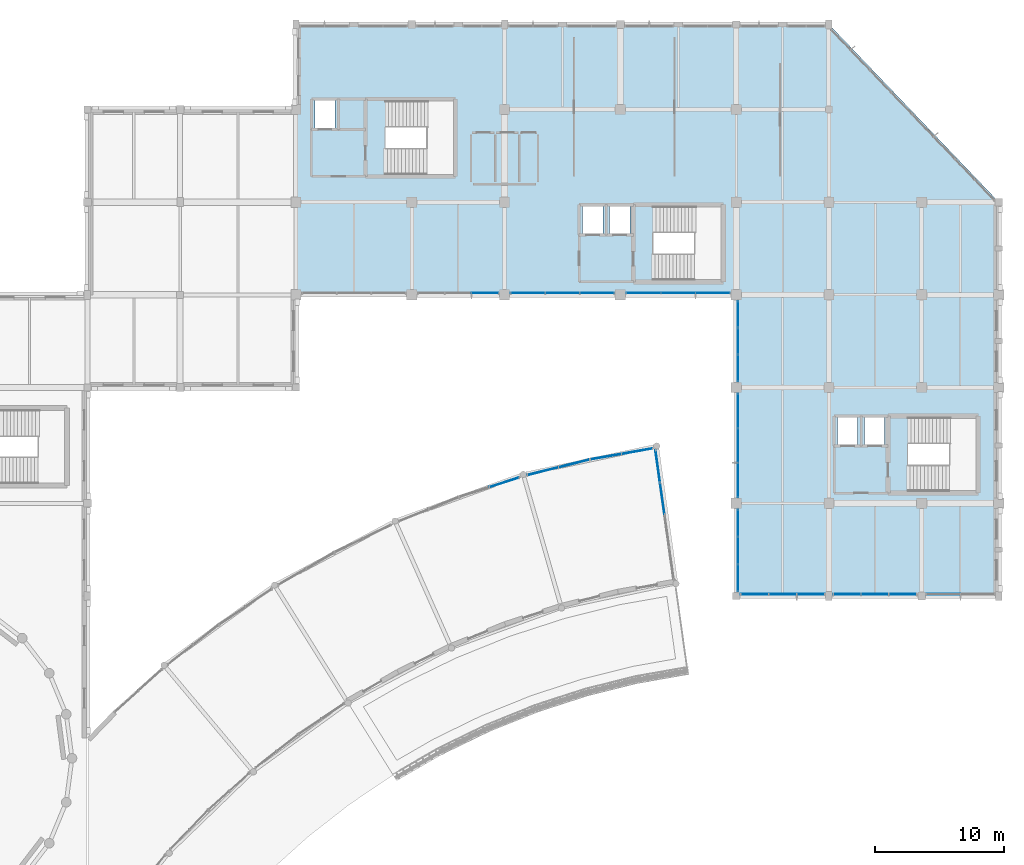
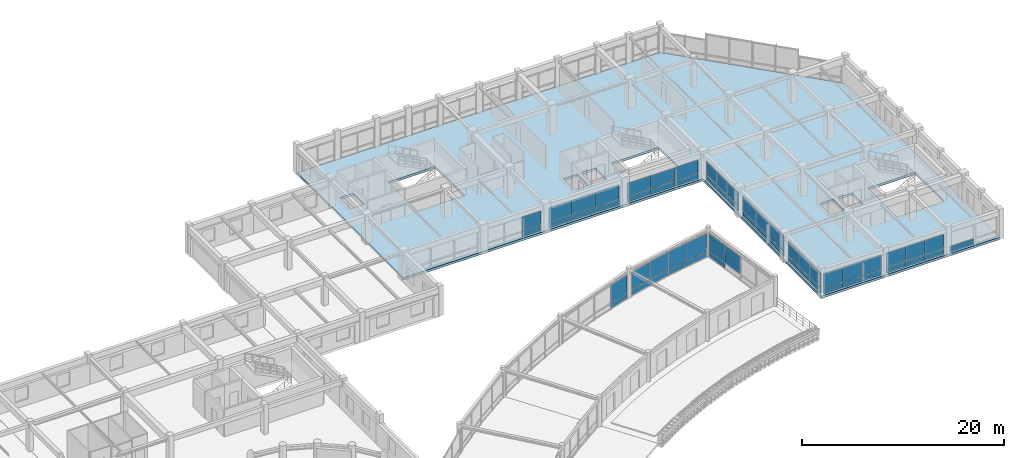
# One storey, part 47 of 74: 58 plates, 1 slab, 13 elements without a shape of their own.
"""IFC4 building model written with IfcOpenShell, lengths in metres."""

import ifcopenshell
import ifcopenshell.guid

model = None  # the IFC model being written
_history = None  # IfcOwnerHistory: only IFC2X3 demands one
_inside = {}  # id of a spatial element -> (the spatial element, [elements in it])
_under = {}  # id of a project, library or spatial element -> (it, [spatial elements below it])
_declared = {}  # id of a project -> (the project, [libraries it declares])
_typed = {}  # id of a type object -> (the type object, [elements of that type])
_made_of = {}  # id of a material, layer set ... -> (it, [elements and type objects made of it])


def new_model(schema):
    """Start an empty IFC model of exactly this schema.

    Asked for "IFC4X3", IfcOpenShell would pick the latest addendum, in which some entities
    have other attributes; the version numbers below select the first issue.
    IFC2X3 requires an IfcOwnerHistory on every rooted entity: one is made here for all.
    """
    global model, _history
    if schema == "IFC4X3":
        model = ifcopenshell.file(schema_version=(4, 3, 0, 0))
    else:
        model = ifcopenshell.file(schema=schema)
    _inside.clear()
    _under.clear()
    _declared.clear()
    _typed.clear()
    _made_of.clear()
    _history = None
    if model.schema == "IFC2X3":
        org = make("IfcOrganization", Name="unknown")
        user = make(
            "IfcPersonAndOrganization",
            ThePerson=make("IfcPerson", FamilyName="unknown"),
            TheOrganization=org,
        )
        app = make(
            "IfcApplication",
            ApplicationDeveloper=org,
            Version="unknown",
            ApplicationFullName="unknown",
            ApplicationIdentifier="unknown",
        )
        _history = make(
            "IfcOwnerHistory",
            OwningUser=user,
            OwningApplication=app,
            ChangeAction="ADDED",
            CreationDate=0,
        )
    return model


def make(cls, **values):
    """One entity of the class cls with the attributes given. An attribute that is None is left unset."""
    return model.create_entity(
        cls, **{name: value for name, value in values.items() if value is not None}
    )


def rooted(cls, **values):
    """An entity with a GlobalId (a new one), such as an element, a storey or a relation."""
    return make(cls, GlobalId=ifcopenshell.guid.new(), OwnerHistory=_history, **values)


def si_unit(unit_type, name, prefix=None):
    """IfcSIUnit, for example si_unit("LENGTHUNIT", "METRE", prefix="MILLI")."""
    return make("IfcSIUnit", UnitType=unit_type, Prefix=prefix, Name=name)


def assignment(units):
    """IfcUnitAssignment: the units of a project."""
    return None if units is None else make("IfcUnitAssignment", Units=units)


def point(xyz):
    """IfcCartesianPoint."""
    return None if xyz is None else make("IfcCartesianPoint", Coordinates=xyz)


def direction(xyz):
    """IfcDirection."""
    return None if xyz is None else make("IfcDirection", DirectionRatios=xyz)


def frame(location, z_axis=None, x_axis=None):
    """IfcAxis2Placement3D, a coordinate frame: its origin and axes. An axis left out is left unset."""
    return make(
        "IfcAxis2Placement3D",
        Location=point(location),
        Axis=direction(z_axis),
        RefDirection=direction(x_axis),
    )


def frame_2d(location, x_axis=None):
    """IfcAxis2Placement2D, a coordinate frame in the plane: its origin and x axis."""
    return make(
        "IfcAxis2Placement2D", Location=point(location), RefDirection=direction(x_axis)
    )


def origin():
    """The frame at (0, 0, 0) with its axes left unset."""
    return frame((0.0, 0.0, 0.0))


def place(relative_to, where):
    """IfcLocalPlacement: puts the frame where relative to a parent placement (None: the world)."""
    return make(
        "IfcLocalPlacement", PlacementRelTo=relative_to, RelativePlacement=where
    )


def context(
    kind, dimensions, precision=None, world=None, true_north=None, identifier=None
):
    """IfcGeometricRepresentationContext, for example the 3D "Model" context."""
    return make(
        "IfcGeometricRepresentationContext",
        ContextIdentifier=identifier,
        ContextType=kind,
        CoordinateSpaceDimension=dimensions,
        Precision=precision,
        WorldCoordinateSystem=world,
        TrueNorth=true_north,
    )


def subcontext(parent, identifier, kind, view, scale=None):
    """IfcGeometricRepresentationSubContext, for example "Body" below "Model"."""
    return make(
        "IfcGeometricRepresentationSubContext",
        ContextIdentifier=identifier,
        ContextType=kind,
        ParentContext=parent,
        TargetScale=scale,
        TargetView=view,
    )


def project(units=None, contexts=None):
    """IfcProject with its units and contexts."""
    return rooted(
        "IfcProject",
        Name="project",
        RepresentationContexts=contexts,
        UnitsInContext=assignment(units),
    )


def spatial(cls, under=None, at=None, **own):
    """A site, building, storey or space (cls), placed at a placement, below another one or the project."""
    s = rooted(cls, ObjectPlacement=at, **own)
    if under is not None:
        _under.setdefault(under.id(), (under, []))[1].append(s)
    return s


def polyline(points):
    """IfcPolyline through the points."""
    return make("IfcPolyline", Points=[point(p) for p in points])


def profile(cls, at=None, kind="AREA", **sizes):
    """A parametric profile (cls). Its sizes go by their IFC names, for example OverallWidth=200.0."""
    return make(cls, ProfileType=kind, Position=at, **sizes)


def rectangle(**sizes):
    """IfcRectangleProfileDef."""
    return profile("IfcRectangleProfileDef", **sizes)


def outline(outer, holes=None, kind="AREA"):
    """IfcArbitraryClosedProfileDef: a profile drawn as a closed curve; with holes, ...WithVoids."""
    if holes is None:
        return make("IfcArbitraryClosedProfileDef", ProfileType=kind, OuterCurve=outer)
    return make(
        "IfcArbitraryProfileDefWithVoids",
        ProfileType=kind,
        OuterCurve=outer,
        InnerCurves=holes,
    )


def extrude(swept, where, along, depth):
    """IfcExtrudedAreaSolid: the profile swept, set in the frame where, extruded along a direction by depth."""
    return make(
        "IfcExtrudedAreaSolid",
        SweptArea=swept,
        Position=where,
        ExtrudedDirection=direction(along),
        Depth=depth,
    )


def shape(context_of_items, identifier, shape_type, items):
    """IfcShapeRepresentation: the items that make up one representation, for example the "Body"."""
    return make(
        "IfcShapeRepresentation",
        ContextOfItems=context_of_items,
        RepresentationIdentifier=identifier,
        RepresentationType=shape_type,
        Items=items,
    )


def material(Name=None, Category=None):
    """IfcMaterial."""
    return make("IfcMaterial", Name=Name, Category=Category)


def layer(
    of_material, thickness, ventilated=None, Name=None, Category=None, Priority=None
):
    """IfcMaterialLayer: one layer of a wall or slab, of a material (None: an air gap)."""
    return make(
        "IfcMaterialLayer",
        Material=of_material,
        LayerThickness=thickness,
        IsVentilated=ventilated,
        Name=Name,
        Category=Category,
        Priority=Priority,
    )


def layer_set(layers, Name=None):
    """IfcMaterialLayerSet."""
    return make("IfcMaterialLayerSet", MaterialLayers=layers, LayerSetName=Name)


def made_of(thing, what):
    """Note that an element or type object is made of a material, layer set ...; save() writes the relation."""
    if what is not None:
        _made_of.setdefault(what.id(), (what, []))[1].append(thing)
    return thing


def type_object(cls, material=None, **own):
    """A type object (cls), such as IfcWallType, which elements share."""
    return made_of(rooted(cls, **own), material)


def element(
    cls,
    number,
    at=None,
    inside=None,
    cuts=None,
    type_object=None,
    material=None,
    context=None,
    identifier="Body",
    shape_type=None,
    held_by="IfcProductDefinitionShape",
    body=None,
    shapes=None,
    **own,
):
    """One element of the class cls, such as IfcWall. Its Tag is "e" and its number.

    at: its placement. inside: the storey or other place that contains it. cuts: it is an
    opening in that element (IfcRelVoidsElement). A single representation is given by context,
    identifier, shape_type and body (its items); several are given by shapes. held_by: the class
    of the entity that holds the representations. save() writes the other relations.
    """
    e = rooted(cls, Tag="e%d" % number, ObjectPlacement=at, **own)
    if body is not None:
        shapes = [shape(context, identifier, shape_type, body)]
    if shapes is not None:
        e.Representation = make(held_by, Representations=shapes)
    if inside is not None:
        _inside.setdefault(inside.id(), (inside, []))[1].append(e)
    if cuts is not None:
        rooted(
            "IfcRelVoidsElement", RelatingBuildingElement=cuts, RelatedOpeningElement=e
        )
    if type_object is not None:
        _typed.setdefault(type_object.id(), (type_object, []))[1].append(e)
    return made_of(e, material)


def aggregate(whole, parts):
    """IfcRelAggregates: a whole, such as a stair, and the parts it consists of."""
    return rooted("IfcRelAggregates", RelatingObject=whole, RelatedObjects=parts)


def save(model, path):
    """Write the relations noted so far, then the file.

    IfcRelAggregates (storeys below a building ...), IfcRelContainedInSpatialStructure (elements
    in a storey), IfcRelDefinesByType, IfcRelAssociatesMaterial and IfcRelDeclares: one each for
    every whole, place, type object, material and project.
    """
    for whole, parts in _under.values():
        aggregate(whole, parts)
    for where, things in _inside.values():
        rooted(
            "IfcRelContainedInSpatialStructure",
            RelatedElements=things,
            RelatingStructure=where,
        )
    for kind, things in _typed.values():
        rooted("IfcRelDefinesByType", RelatedObjects=things, RelatingType=kind)
    for what, things in _made_of.values():
        rooted("IfcRelAssociatesMaterial", RelatedObjects=things, RelatingMaterial=what)
    for by, libraries in _declared.values():
        rooted("IfcRelDeclares", RelatingContext=by, RelatedDefinitions=libraries)
    model.write(path)


model = new_model("IFC4")

# Units and contexts
model_context = context("Model", 3, precision=1e-05, world=origin(), true_north=direction((0.0, 1.0)))
body_context = subcontext(model_context, "Body", "Model", "MODEL_VIEW")
ifc_project = project(units=[si_unit("LENGTHUNIT", "METRE"), si_unit("AREAUNIT", "SQUARE_METRE"), si_unit("VOLUMEUNIT", "CUBIC_METRE"), si_unit("PLANEANGLEUNIT", "RADIAN"), si_unit("MASSUNIT", "GRAM", prefix="KILO")], contexts=[model_context])

# Site, building, storey
site_placement = place(None, origin())
site = spatial("IfcSite", under=ifc_project, at=site_placement, CompositionType="ELEMENT")
building_placement = place(site_placement, origin())
building = spatial("IfcBuilding", under=site, at=building_placement, Name="Clarverna Civic Hall", CompositionType="ELEMENT")
storey_placement = place(building_placement, frame((0.0, 0.0, 9.60009765625)))
storey = spatial("IfcBuildingStorey", under=building, at=storey_placement, Name="L02", CompositionType="ELEMENT", Elevation=9.60009765625)

# Curtain wall, plates
ifc_material_1 = material(Name="Anodised Bronze Architectural Aluminium", Category="aluminium")
curtain_wall_type_1 = type_object("IfcCurtainWallType", Name="CW-01", PredefinedType="USERDEFINED", material=ifc_material_1)
curtain_wall_1_placement = place(storey_placement, origin())
curtain_wall_1 = element("IfcCurtainWall", 1, at=curtain_wall_1_placement, inside=storey, type_object=curtain_wall_type_1, Name="CW-01-045", ObjectType="UNITISED CURTAIN WALL", PredefinedType="USERDEFINED")
ifc_material_2 = material(Name="Solar-Control Argon Low-E Double Glazing", Category="glass")
ifc_layer_1 = layer(ifc_material_2, 0.031982421875)
ifc_layer_set_1 = layer_set([ifc_layer_1], Name="Solar-Control Argon Low-E Double Glazing")
plate_type_1 = type_object("IfcPlateType", Name="CWP-01", PredefinedType="CURTAIN_PANEL", material=ifc_layer_set_1)
plate_1_placement = place(storey_placement, frame((161.612060546875, 71.739990234375, 0.764892578125), z_axis=(0.0, 0.0, 1.0), x_axis=(-1.0, 0.0, 0.0)))
plate_1 = element("IfcPlate", 2, at=plate_1_placement, type_object=plate_type_1, Name="CWP-01-274", PredefinedType="CURTAIN_PANEL", context=body_context, shape_type="SweptSolid", body=[
    extrude(rectangle(XDim=2.137939453125, YDim=0.031982421875, at=frame_2d((1.06884765625, 0.0))), origin(), (0.0, 0.0, 1.0), 1.7451171875),
])
plate_2_placement = place(storey_placement, frame((159.444091796875, 71.739990234375, 0.764892578125), z_axis=(0.0, 0.0, 1.0), x_axis=(-1.0, 0.0, 0.0)))
plate_2 = element("IfcPlate", 3, at=plate_2_placement, type_object=plate_type_1, Name="CWP-01-275", PredefinedType="CURTAIN_PANEL", context=body_context, shape_type="SweptSolid", body=[
    extrude(rectangle(XDim=2.13818359375, YDim=0.031982421875, at=frame_2d((1.069091796875, 0.0))), origin(), (0.0, 0.0, 1.0), 1.7451171875),
])
plate_3_placement = place(storey_placement, frame((157.27587890625, 71.739990234375, 0.764892578125), z_axis=(0.0, 0.0, 1.0), x_axis=(-1.0, 0.0, 0.0)))
plate_3 = element("IfcPlate", 4, at=plate_3_placement, type_object=plate_type_1, Name="CWP-01-276", PredefinedType="CURTAIN_PANEL", context=body_context, shape_type="SweptSolid", body=[
    extrude(rectangle(XDim=2.137939453125, YDim=0.031982421875, at=frame_2d((1.06884765625, 0.0))), origin(), (0.0, 0.0, 1.0), 1.7451171875),
])

curtain_wall_2_placement = place(storey_placement, origin())
curtain_wall_2 = element("IfcCurtainWall", 5, at=curtain_wall_2_placement, inside=storey, type_object=curtain_wall_type_1, Name="CW-01-046", ObjectType="UNITISED CURTAIN WALL", PredefinedType="USERDEFINED")
plate_4_placement = place(storey_placement, frame((154.4619140625, 71.739990234375, 0.764892578125), z_axis=(0.0, 0.0, 1.0), x_axis=(-1.0, 0.0, 0.0)))
plate_4 = element("IfcPlate", 6, at=plate_4_placement, type_object=plate_type_1, Name="CWP-01-277", PredefinedType="CURTAIN_PANEL", context=body_context, shape_type="SweptSolid", body=[
    extrude(rectangle(XDim=2.146240234375, YDim=0.031982421875, at=frame_2d((1.0732421875, 0.0))), origin(), (0.0, 0.0, 1.0), 1.7451171875),
])
plate_5_placement = place(storey_placement, frame((152.28564453125, 71.739990234375, 0.764892578125), z_axis=(0.0, 0.0, 1.0), x_axis=(-1.0, 0.0, 0.0)))
plate_5 = element("IfcPlate", 7, at=plate_5_placement, type_object=plate_type_1, Name="CWP-01-278", PredefinedType="CURTAIN_PANEL", context=body_context, shape_type="SweptSolid", body=[
    extrude(rectangle(XDim=2.146240234375, YDim=0.031982421875, at=frame_2d((1.0732421875, 0.0))), origin(), (0.0, 0.0, 1.0), 1.7451171875),
])
plate_6_placement = place(storey_placement, frame((150.109375, 71.739990234375, 0.764892578125), z_axis=(0.0, 0.0, 1.0), x_axis=(-1.0, 0.0, 0.0)))
plate_6 = element("IfcPlate", 8, at=plate_6_placement, type_object=plate_type_1, Name="CWP-01-279", PredefinedType="CURTAIN_PANEL", context=body_context, shape_type="SweptSolid", body=[
    extrude(rectangle(XDim=2.146484375, YDim=0.031982421875, at=frame_2d((1.0732421875, 0.0))), origin(), (0.0, 0.0, 1.0), 1.7451171875),
])

curtain_wall_3_placement = place(storey_placement, origin())
curtain_wall_3 = element("IfcCurtainWall", 9, at=curtain_wall_3_placement, inside=storey, type_object=curtain_wall_type_1, Name="CW-01-047", ObjectType="UNITISED CURTAIN WALL", PredefinedType="USERDEFINED")
plate_7_placement = place(storey_placement, frame((147.739990234375, 71.962890625, 0.764892578125), z_axis=(0.0, 0.0, 1.0), x_axis=(0.0, 1.0, 0.0)))
plate_7 = element("IfcPlate", 10, at=plate_7_placement, type_object=plate_type_1, Name="CWP-01-280", PredefinedType="CURTAIN_PANEL", context=body_context, shape_type="SweptSolid", body=[
    extrude(rectangle(XDim=2.096435546875, YDim=0.031982421875, at=frame_2d((1.04833984375, 0.0))), origin(), (0.0, 0.0, 1.0), 1.764892578125),
])
plate_8_placement = place(storey_placement, frame((147.739990234375, 74.08935546875, 0.764892578125), z_axis=(0.0, 0.0, 1.0), x_axis=(0.0, 1.0, 0.0)))
plate_8 = element("IfcPlate", 11, at=plate_8_placement, type_object=plate_type_1, Name="CWP-01-281", PredefinedType="CURTAIN_PANEL", context=body_context, shape_type="SweptSolid", body=[
    extrude(rectangle(XDim=2.096435546875, YDim=0.031982421875, at=frame_2d((1.04833984375, 0.0))), origin(), (0.0, 0.0, 1.0), 1.764892578125),
])
plate_9_placement = place(storey_placement, frame((147.739990234375, 76.2158203125, 0.764892578125), z_axis=(0.0, 0.0, 1.0), x_axis=(0.0, 1.0, 0.0)))
plate_9 = element("IfcPlate", 12, at=plate_9_placement, type_object=plate_type_1, Name="CWP-01-282", PredefinedType="CURTAIN_PANEL", context=body_context, shape_type="SweptSolid", body=[
    extrude(rectangle(XDim=2.09619140625, YDim=0.031982421875, at=frame_2d((1.048095703125, 0.0))), origin(), (0.0, 0.0, 1.0), 1.764892578125),
])

curtain_wall_4_placement = place(storey_placement, origin())
curtain_wall_4 = element("IfcCurtainWall", 13, at=curtain_wall_4_placement, inside=storey, type_object=curtain_wall_type_1, Name="CW-01-048", ObjectType="UNITISED CURTAIN WALL", PredefinedType="USERDEFINED")
plate_10_placement = place(storey_placement, frame((147.739990234375, 79.2880859375, 0.764892578125), z_axis=(0.0, 0.0, 1.0), x_axis=(0.0, 1.0, 0.0)))
plate_10 = element("IfcPlate", 14, at=plate_10_placement, type_object=plate_type_1, Name="CWP-01-283", PredefinedType="CURTAIN_PANEL", context=body_context, shape_type="SweptSolid", body=[
    extrude(rectangle(XDim=2.654541015625, YDim=0.031982421875, at=frame_2d((1.3271484375, 0.0))), origin(), (0.0, 0.0, 1.0), 1.764892578125),
])
plate_11_placement = place(storey_placement, frame((147.739990234375, 81.97265625, 0.764892578125), z_axis=(0.0, 0.0, 1.0), x_axis=(0.0, 1.0, 0.0)))
plate_11 = element("IfcPlate", 15, at=plate_11_placement, type_object=plate_type_1, Name="CWP-01-284", PredefinedType="CURTAIN_PANEL", context=body_context, shape_type="SweptSolid", body=[
    extrude(rectangle(XDim=2.654541015625, YDim=0.031982421875, at=frame_2d((1.3271484375, 0.0))), origin(), (0.0, 0.0, 1.0), 1.764892578125),
])
plate_12_placement = place(storey_placement, frame((147.739990234375, 84.6572265625, 0.764892578125), z_axis=(0.0, 0.0, 1.0), x_axis=(0.0, 1.0, 0.0)))
plate_12 = element("IfcPlate", 16, at=plate_12_placement, type_object=plate_type_1, Name="CWP-01-285", PredefinedType="CURTAIN_PANEL", context=body_context, shape_type="SweptSolid", body=[
    extrude(rectangle(XDim=2.65478515625, YDim=0.031982421875, at=frame_2d((1.327392578125, 0.0))), origin(), (0.0, 0.0, 1.0), 1.764892578125),
])

curtain_wall_5_placement = place(storey_placement, origin())
curtain_wall_5 = element("IfcCurtainWall", 17, at=curtain_wall_5_placement, inside=storey, type_object=curtain_wall_type_1, Name="CW-01-049", ObjectType="UNITISED CURTAIN WALL", PredefinedType="USERDEFINED")
plate_13_placement = place(storey_placement, frame((147.739990234375, 88.2880859375, 0.764892578125), z_axis=(0.0, 0.0, 1.0), x_axis=(0.0, 1.0, 0.0)))
plate_13 = element("IfcPlate", 18, at=plate_13_placement, type_object=plate_type_1, Name="CWP-01-286", PredefinedType="CURTAIN_PANEL", context=body_context, shape_type="SweptSolid", body=[
    extrude(rectangle(XDim=2.0546875, YDim=0.031982421875, at=frame_2d((1.02734375, 0.0))), origin(), (0.0, 0.0, 1.0), 1.594970703125),
])
plate_14_placement = place(storey_placement, frame((147.739990234375, 90.372802734375, 0.764892578125), z_axis=(0.0, 0.0, 1.0), x_axis=(0.0, 1.0, 0.0)))
plate_14 = element("IfcPlate", 19, at=plate_14_placement, type_object=plate_type_1, Name="CWP-01-287", PredefinedType="CURTAIN_PANEL", context=body_context, shape_type="SweptSolid", body=[
    extrude(rectangle(XDim=2.054443359375, YDim=0.031982421875, at=frame_2d((1.02734375, 0.0))), origin(), (0.0, 0.0, 1.0), 1.594970703125),
])
plate_15_placement = place(storey_placement, frame((147.739990234375, 92.457275390625, 0.764892578125), z_axis=(0.0, 0.0, 1.0), x_axis=(0.0, 1.0, 0.0)))
plate_15 = element("IfcPlate", 20, at=plate_15_placement, type_object=plate_type_1, Name="CWP-01-288", PredefinedType="CURTAIN_PANEL", context=body_context, shape_type="SweptSolid", body=[
    extrude(rectangle(XDim=2.0546875, YDim=0.031982421875, at=frame_2d((1.02734375, 0.0))), origin(), (0.0, 0.0, 1.0), 1.594970703125),
])

curtain_wall_6_placement = place(storey_placement, origin())
curtain_wall_6 = element("IfcCurtainWall", 21, at=curtain_wall_6_placement, inside=storey, type_object=curtain_wall_type_1, Name="CW-01-050", ObjectType="UNITISED CURTAIN WALL", PredefinedType="USERDEFINED")
plate_16_placement = place(storey_placement, frame((147.112060546875, 95.139892578125, 0.764892578125), z_axis=(0.0, 0.0, 1.0), x_axis=(-1.0, 0.0, 0.0)))
plate_16 = element("IfcPlate", 22, at=plate_16_placement, type_object=plate_type_1, Name="CWP-01-289", PredefinedType="CURTAIN_PANEL", context=body_context, shape_type="SweptSolid", body=[
    extrude(rectangle(XDim=2.65478515625, YDim=0.031982421875, at=frame_2d((1.327392578125, 0.0))), origin(), (0.0, 0.0, 1.0), 1.594970703125),
])
plate_17_placement = place(storey_placement, frame((144.42724609375, 95.139892578125, 0.764892578125), z_axis=(0.0, 0.0, 1.0), x_axis=(-1.0, 0.0, 0.0)))
plate_17 = element("IfcPlate", 23, at=plate_17_placement, type_object=plate_type_1, Name="CWP-01-290", PredefinedType="CURTAIN_PANEL", context=body_context, shape_type="SweptSolid", body=[
    extrude(rectangle(XDim=2.654541015625, YDim=0.031982421875, at=frame_2d((1.3271484375, 0.0))), origin(), (0.0, 0.0, 1.0), 1.594970703125),
])
plate_18_placement = place(storey_placement, frame((141.74267578125, 95.139892578125, 0.764892578125), z_axis=(0.0, 0.0, 1.0), x_axis=(-1.0, 0.0, 0.0)))
plate_18 = element("IfcPlate", 24, at=plate_18_placement, type_object=plate_type_1, Name="CWP-01-291", PredefinedType="CURTAIN_PANEL", context=body_context, shape_type="SweptSolid", body=[
    extrude(rectangle(XDim=2.65478515625, YDim=0.031982421875, at=frame_2d((1.327392578125, 0.0))), origin(), (0.0, 0.0, 1.0), 1.594970703125),
])

curtain_wall_7_placement = place(storey_placement, origin())
curtain_wall_7 = element("IfcCurtainWall", 25, at=curtain_wall_7_placement, inside=storey, type_object=curtain_wall_type_1, Name="CW-01-051", ObjectType="UNITISED CURTAIN WALL", PredefinedType="USERDEFINED")
plate_19_placement = place(storey_placement, frame((138.112060546875, 95.139892578125, 0.764892578125), z_axis=(0.0, 0.0, 1.0), x_axis=(-1.0, 0.0, 0.0)))
plate_19 = element("IfcPlate", 26, at=plate_19_placement, type_object=plate_type_1, Name="CWP-01-292", PredefinedType="CURTAIN_PANEL", context=body_context, shape_type="SweptSolid", body=[
    extrude(rectangle(XDim=2.65478515625, YDim=0.031982421875, at=frame_2d((1.327392578125, 0.0))), origin(), (0.0, 0.0, 1.0), 1.72509765625),
])
plate_20_placement = place(storey_placement, frame((135.42724609375, 95.139892578125, 0.764892578125), z_axis=(0.0, 0.0, 1.0), x_axis=(-1.0, 0.0, 0.0)))
plate_20 = element("IfcPlate", 27, at=plate_20_placement, type_object=plate_type_1, Name="CWP-01-293", PredefinedType="CURTAIN_PANEL", context=body_context, shape_type="SweptSolid", body=[
    extrude(rectangle(XDim=2.654541015625, YDim=0.031982421875, at=frame_2d((1.3271484375, 0.0))), origin(), (0.0, 0.0, 1.0), 1.72509765625),
])
plate_21_placement = place(storey_placement, frame((132.74267578125, 95.139892578125, 0.764892578125), z_axis=(0.0, 0.0, 1.0), x_axis=(-1.0, 0.0, 0.0)))
plate_21 = element("IfcPlate", 28, at=plate_21_placement, type_object=plate_type_1, Name="CWP-01-294", PredefinedType="CURTAIN_PANEL", context=body_context, shape_type="SweptSolid", body=[
    extrude(rectangle(XDim=2.65478515625, YDim=0.031982421875, at=frame_2d((1.327392578125, 0.0))), origin(), (0.0, 0.0, 1.0), 1.72509765625),
])

# Curtain wall, plate
curtain_wall_8_placement = place(storey_placement, origin())
curtain_wall_8 = element("IfcCurtainWall", 29, at=curtain_wall_8_placement, inside=storey, type_object=curtain_wall_type_1, Name="CW-01-052", ObjectType="UNITISED CURTAIN WALL", PredefinedType="USERDEFINED")
plate_22_placement = place(storey_placement, frame((129.112060546875, 95.139892578125, 0.764892578125), z_axis=(0.0, 0.0, 1.0), x_axis=(-1.0, 0.0, 0.0)))
plate_22 = element("IfcPlate", 30, at=plate_22_placement, type_object=plate_type_1, Name="CWP-01-295", PredefinedType="CURTAIN_PANEL", context=body_context, shape_type="SweptSolid", body=[
    extrude(rectangle(XDim=2.0546875, YDim=0.031982421875, at=frame_2d((1.02734375, 0.0))), origin(), (0.0, 0.0, 1.0), 1.72509765625),
])

curtain_wall_type_2 = type_object("IfcCurtainWallType", Name="CW-03", PredefinedType="USERDEFINED", material=ifc_material_1)
curtain_wall_9_placement = place(storey_placement, origin())
curtain_wall_9 = element("IfcCurtainWall", 31, at=curtain_wall_9_placement, inside=storey, type_object=curtain_wall_type_2, Name="CW-03-054", ObjectType="UNITISED CURTAIN WALL", PredefinedType="USERDEFINED")
plate_23_placement = place(storey_placement, frame((128.419921875, 80.0537109375, 0.764892578125), z_axis=(0.0, 0.0, 1.0), x_axis=(0.951042986681, 0.309058631146, 0.0)))
plate_23 = element("IfcPlate", 32, at=plate_23_placement, type_object=plate_type_1, Name="CWP-01-314", PredefinedType="CURTAIN_PANEL", context=body_context, shape_type="SweptSolid", body=[
    extrude(rectangle(XDim=2.4140625, YDim=0.031982421875, at=frame_2d((1.20703125, 0.0))), origin(), (0.0, 0.0, 1.0), 2.155029296875),
])

# Curtain wall, plates
curtain_wall_10_placement = place(storey_placement, origin())
curtain_wall_10 = element("IfcCurtainWall", 33, at=curtain_wall_10_placement, inside=storey, type_object=curtain_wall_type_2, Name="CW-03-055", ObjectType="UNITISED CURTAIN WALL", PredefinedType="USERDEFINED")
plate_24_placement = place(storey_placement, frame((131.38818359375, 80.99560546875, 0.764892578125), z_axis=(0.0, 0.0, 1.0), x_axis=(0.970294263403, 0.241927762788, 0.0)))
plate_24 = element("IfcPlate", 34, at=plate_24_placement, type_object=plate_type_1, Name="CWP-01-315", PredefinedType="CURTAIN_PANEL", context=body_context, shape_type="SweptSolid", body=[
    extrude(rectangle(XDim=2.457275390625, YDim=0.031982421875, at=frame_2d((1.228515625, 0.0))), origin(), (0.0, 0.0, 1.0), 2.155029296875),
])
plate_25_placement = place(storey_placement, frame((133.8017578125, 81.597412109375, 0.764892578125), z_axis=(0.0, 0.0, 1.0), x_axis=(0.970294263403, 0.241927762788, 0.0)))
plate_25 = element("IfcPlate", 35, at=plate_25_placement, type_object=plate_type_1, Name="CWP-01-316", PredefinedType="CURTAIN_PANEL", context=body_context, shape_type="SweptSolid", body=[
    extrude(rectangle(XDim=2.457275390625, YDim=0.031982421875, at=frame_2d((1.228515625, 0.0))), origin(), (0.0, 0.0, 1.0), 2.155029296875),
])

curtain_wall_11_placement = place(storey_placement, origin())
curtain_wall_11 = element("IfcCurtainWall", 36, at=curtain_wall_11_placement, inside=storey, type_object=curtain_wall_type_2, Name="CW-03-056", ObjectType="UNITISED CURTAIN WALL", PredefinedType="USERDEFINED")
plate_26_placement = place(storey_placement, frame((136.270263671875, 82.209716796875, 0.764892578125), z_axis=(0.0, 0.0, 1.0), x_axis=(0.984810858511, 0.173630564586, 0.0)))
plate_26 = element("IfcPlate", 37, at=plate_26_placement, type_object=plate_type_1, Name="CWP-01-317", PredefinedType="CURTAIN_PANEL", context=body_context, shape_type="SweptSolid", body=[
    extrude(rectangle(XDim=2.4296875, YDim=0.031982421875, at=frame_2d((1.21484375, 0.0))), origin(), (0.0, 0.0, 1.0), 2.155029296875),
])
plate_27_placement = place(storey_placement, frame((138.692626953125, 82.63671875, 0.764892578125), z_axis=(0.0, 0.0, 1.0), x_axis=(0.984793672475, 0.173728013438, 0.0)))
plate_27 = element("IfcPlate", 38, at=plate_27_placement, type_object=plate_type_1, Name="CWP-01-318", PredefinedType="CURTAIN_PANEL", context=body_context, shape_type="SweptSolid", body=[
    extrude(rectangle(XDim=2.4296875, YDim=0.031982421875, at=frame_2d((1.21484375, 0.0))), origin(), (0.0, 0.0, 1.0), 2.155029296875),
])

curtain_wall_12_placement = place(storey_placement, origin())
curtain_wall_12 = element("IfcCurtainWall", 39, at=curtain_wall_12_placement, inside=storey, type_object=curtain_wall_type_2, Name="CW-03-057", ObjectType="UNITISED CURTAIN WALL", PredefinedType="USERDEFINED")
plate_28_placement = place(storey_placement, frame((141.328857421875, 82.9228515625, 0.764892578125), z_axis=(0.0, 0.0, 1.0), x_axis=(0.139233886918, -0.99025952393, 0.0)))
plate_28 = element("IfcPlate", 40, at=plate_28_placement, type_object=plate_type_1, Name="CWP-01-319", PredefinedType="CURTAIN_PANEL", context=body_context, shape_type="SweptSolid", body=[
    extrude(rectangle(XDim=2.50048828125, YDim=0.031982421875, at=frame_2d((1.250244140625, 0.0))), origin(), (0.0, 0.0, 1.0), 2.155029296875),
])
plate_29_placement = place(storey_placement, frame((141.680908203125, 80.4169921875, 0.764892578125), z_axis=(0.0, 0.0, 1.0), x_axis=(0.139247350511, -0.990257630809, 0.0)))
plate_29 = element("IfcPlate", 41, at=plate_29_placement, type_object=plate_type_1, Name="CWP-01-320", PredefinedType="CURTAIN_PANEL", context=body_context, shape_type="SweptSolid", body=[
    extrude(rectangle(XDim=2.500244140625, YDim=0.031982421875, at=frame_2d((1.25, 0.0))), origin(), (0.0, 0.0, 1.0), 2.155029296875),
])

# Curtain wall, plate
curtain_wall_13_placement = place(storey_placement, origin())
curtain_wall_13 = element("IfcCurtainWall", 42, at=curtain_wall_13_placement, inside=storey, type_object=curtain_wall_type_1, Name="CW-01-044", ObjectType="UNITISED CURTAIN WALL", PredefinedType="USERDEFINED")
ifc_material_3 = material(Name="Insulated Anodised Bronze Spandrel Panel", Category="aluminium")
ifc_layer_2 = layer(ifc_material_3, 0.048095703125)
ifc_layer_set_2 = layer_set([ifc_layer_2], Name="Insulated Anodised Bronze Spandrel Panel")
plate_type_2 = type_object("IfcPlateType", Name="CWP-03", PredefinedType="CURTAIN_PANEL", material=ifc_layer_set_2)
plate_30_placement = place(storey_placement, frame((165.010009765625, 71.739990234375, 0.10986328125), z_axis=(0.0, 0.0, 1.0), x_axis=(-1.0, 0.0, 0.0)))
plate_30 = element("IfcPlate", 43, at=plate_30_placement, type_object=plate_type_2, Name="CWP-03-275", PredefinedType="CURTAIN_PANEL", context=body_context, shape_type="SweptSolid", body=[
    extrude(rectangle(XDim=2.6220703125, YDim=0.048095703125, at=frame_2d((1.31103515625, 0.0))), origin(), (0.0, 0.0, 1.0), 0.625),
])
aggregate(curtain_wall_13, [plate_30])

# Plate
plate_31_placement = place(storey_placement, frame((161.612060546875, 71.739990234375, 0.10986328125), z_axis=(0.0, 0.0, 1.0), x_axis=(-1.0, 0.0, 0.0)))
plate_31 = element("IfcPlate", 44, at=plate_31_placement, type_object=plate_type_2, Name="CWP-03-276", PredefinedType="CURTAIN_PANEL", context=body_context, shape_type="SweptSolid", body=[
    extrude(rectangle(XDim=2.137939453125, YDim=0.048095703125, at=frame_2d((1.06884765625, 0.0))), origin(), (0.0, 0.0, 1.0), 0.625),
])

plate_32_placement = place(storey_placement, frame((159.444091796875, 71.739990234375, 0.10986328125), z_axis=(0.0, 0.0, 1.0), x_axis=(-1.0, 0.0, 0.0)))
plate_32 = element("IfcPlate", 45, at=plate_32_placement, type_object=plate_type_2, Name="CWP-03-277", PredefinedType="CURTAIN_PANEL", context=body_context, shape_type="SweptSolid", body=[
    extrude(rectangle(XDim=2.13818359375, YDim=0.048095703125, at=frame_2d((1.069091796875, 0.0))), origin(), (0.0, 0.0, 1.0), 0.625),
])

plate_33_placement = place(storey_placement, frame((157.27587890625, 71.739990234375, 0.10986328125), z_axis=(0.0, 0.0, 1.0), x_axis=(-1.0, 0.0, 0.0)))
plate_33 = element("IfcPlate", 46, at=plate_33_placement, type_object=plate_type_2, Name="CWP-03-278", PredefinedType="CURTAIN_PANEL", context=body_context, shape_type="SweptSolid", body=[
    extrude(rectangle(XDim=2.137939453125, YDim=0.048095703125, at=frame_2d((1.06884765625, 0.0))), origin(), (0.0, 0.0, 1.0), 0.625),
])

aggregate(curtain_wall_1, [plate_31, plate_1, plate_32, plate_2, plate_33, plate_3])

plate_34_placement = place(storey_placement, frame((154.4619140625, 71.739990234375, 0.10986328125), z_axis=(0.0, 0.0, 1.0), x_axis=(-1.0, 0.0, 0.0)))
plate_34 = element("IfcPlate", 47, at=plate_34_placement, type_object=plate_type_2, Name="CWP-03-279", PredefinedType="CURTAIN_PANEL", context=body_context, shape_type="SweptSolid", body=[
    extrude(rectangle(XDim=2.146240234375, YDim=0.048095703125, at=frame_2d((1.0732421875, 0.0))), origin(), (0.0, 0.0, 1.0), 0.625),
])

plate_35_placement = place(storey_placement, frame((152.28564453125, 71.739990234375, 0.10986328125), z_axis=(0.0, 0.0, 1.0), x_axis=(-1.0, 0.0, 0.0)))
plate_35 = element("IfcPlate", 48, at=plate_35_placement, type_object=plate_type_2, Name="CWP-03-280", PredefinedType="CURTAIN_PANEL", context=body_context, shape_type="SweptSolid", body=[
    extrude(rectangle(XDim=2.146240234375, YDim=0.048095703125, at=frame_2d((1.0732421875, 0.0))), origin(), (0.0, 0.0, 1.0), 0.625),
])

plate_36_placement = place(storey_placement, frame((150.109375, 71.739990234375, 0.10986328125), z_axis=(0.0, 0.0, 1.0), x_axis=(-1.0, 0.0, 0.0)))
plate_36 = element("IfcPlate", 49, at=plate_36_placement, type_object=plate_type_2, Name="CWP-03-281", PredefinedType="CURTAIN_PANEL", context=body_context, shape_type="SweptSolid", body=[
    extrude(rectangle(XDim=2.146484375, YDim=0.048095703125, at=frame_2d((1.0732421875, 0.0))), origin(), (0.0, 0.0, 1.0), 0.625),
])

aggregate(curtain_wall_2, [plate_34, plate_4, plate_35, plate_5, plate_36, plate_6])

plate_37_placement = place(storey_placement, frame((147.739990234375, 71.962890625, 0.10986328125), z_axis=(0.0, 0.0, 1.0), x_axis=(0.0, 1.0, 0.0)))
plate_37 = element("IfcPlate", 50, at=plate_37_placement, type_object=plate_type_2, Name="CWP-03-282", PredefinedType="CURTAIN_PANEL", context=body_context, shape_type="SweptSolid", body=[
    extrude(rectangle(XDim=2.096435546875, YDim=0.048095703125, at=frame_2d((1.04833984375, 0.0))), origin(), (0.0, 0.0, 1.0), 0.625),
])

plate_38_placement = place(storey_placement, frame((147.739990234375, 74.08935546875, 0.10986328125), z_axis=(0.0, 0.0, 1.0), x_axis=(0.0, 1.0, 0.0)))
plate_38 = element("IfcPlate", 51, at=plate_38_placement, type_object=plate_type_2, Name="CWP-03-283", PredefinedType="CURTAIN_PANEL", context=body_context, shape_type="SweptSolid", body=[
    extrude(rectangle(XDim=2.096435546875, YDim=0.048095703125, at=frame_2d((1.04833984375, 0.0))), origin(), (0.0, 0.0, 1.0), 0.625),
])

plate_39_placement = place(storey_placement, frame((147.739990234375, 76.2158203125, 0.10986328125), z_axis=(0.0, 0.0, 1.0), x_axis=(0.0, 1.0, 0.0)))
plate_39 = element("IfcPlate", 52, at=plate_39_placement, type_object=plate_type_2, Name="CWP-03-284", PredefinedType="CURTAIN_PANEL", context=body_context, shape_type="SweptSolid", body=[
    extrude(rectangle(XDim=2.09619140625, YDim=0.048095703125, at=frame_2d((1.048095703125, 0.0))), origin(), (0.0, 0.0, 1.0), 0.625),
])

aggregate(curtain_wall_3, [plate_37, plate_7, plate_38, plate_8, plate_39, plate_9])

plate_40_placement = place(storey_placement, frame((147.739990234375, 79.2880859375, 0.10986328125), z_axis=(0.0, 0.0, 1.0), x_axis=(0.0, 1.0, 0.0)))
plate_40 = element("IfcPlate", 53, at=plate_40_placement, type_object=plate_type_2, Name="CWP-03-285", PredefinedType="CURTAIN_PANEL", context=body_context, shape_type="SweptSolid", body=[
    extrude(rectangle(XDim=2.654541015625, YDim=0.048095703125, at=frame_2d((1.3271484375, 0.0))), origin(), (0.0, 0.0, 1.0), 0.625),
])

plate_41_placement = place(storey_placement, frame((147.739990234375, 81.97265625, 0.10986328125), z_axis=(0.0, 0.0, 1.0), x_axis=(0.0, 1.0, 0.0)))
plate_41 = element("IfcPlate", 54, at=plate_41_placement, type_object=plate_type_2, Name="CWP-03-286", PredefinedType="CURTAIN_PANEL", context=body_context, shape_type="SweptSolid", body=[
    extrude(rectangle(XDim=2.654541015625, YDim=0.048095703125, at=frame_2d((1.3271484375, 0.0))), origin(), (0.0, 0.0, 1.0), 0.625),
])

plate_42_placement = place(storey_placement, frame((147.739990234375, 84.6572265625, 0.10986328125), z_axis=(0.0, 0.0, 1.0), x_axis=(0.0, 1.0, 0.0)))
plate_42 = element("IfcPlate", 55, at=plate_42_placement, type_object=plate_type_2, Name="CWP-03-287", PredefinedType="CURTAIN_PANEL", context=body_context, shape_type="SweptSolid", body=[
    extrude(rectangle(XDim=2.65478515625, YDim=0.048095703125, at=frame_2d((1.327392578125, 0.0))), origin(), (0.0, 0.0, 1.0), 0.625),
])

aggregate(curtain_wall_4, [plate_40, plate_10, plate_41, plate_11, plate_42, plate_12])

plate_43_placement = place(storey_placement, frame((147.739990234375, 88.2880859375, 0.10986328125), z_axis=(0.0, 0.0, 1.0), x_axis=(0.0, 1.0, 0.0)))
plate_43 = element("IfcPlate", 56, at=plate_43_placement, type_object=plate_type_2, Name="CWP-03-288", PredefinedType="CURTAIN_PANEL", context=body_context, shape_type="SweptSolid", body=[
    extrude(rectangle(XDim=2.0546875, YDim=0.048095703125, at=frame_2d((1.02734375, 0.0))), origin(), (0.0, 0.0, 1.0), 0.625),
])

plate_44_placement = place(storey_placement, frame((147.739990234375, 90.372802734375, 0.10986328125), z_axis=(0.0, 0.0, 1.0), x_axis=(0.0, 1.0, 0.0)))
plate_44 = element("IfcPlate", 57, at=plate_44_placement, type_object=plate_type_2, Name="CWP-03-289", PredefinedType="CURTAIN_PANEL", context=body_context, shape_type="SweptSolid", body=[
    extrude(rectangle(XDim=2.054443359375, YDim=0.048095703125, at=frame_2d((1.02734375, 0.0))), origin(), (0.0, 0.0, 1.0), 0.625),
])

plate_45_placement = place(storey_placement, frame((147.739990234375, 92.457275390625, 0.10986328125), z_axis=(0.0, 0.0, 1.0), x_axis=(0.0, 1.0, 0.0)))
plate_45 = element("IfcPlate", 58, at=plate_45_placement, type_object=plate_type_2, Name="CWP-03-290", PredefinedType="CURTAIN_PANEL", context=body_context, shape_type="SweptSolid", body=[
    extrude(rectangle(XDim=2.0546875, YDim=0.048095703125, at=frame_2d((1.02734375, 0.0))), origin(), (0.0, 0.0, 1.0), 0.625),
])

aggregate(curtain_wall_5, [plate_43, plate_13, plate_44, plate_14, plate_45, plate_15])

plate_46_placement = place(storey_placement, frame((147.112060546875, 95.139892578125, 0.10986328125), z_axis=(0.0, 0.0, 1.0), x_axis=(-1.0, 0.0, 0.0)))
plate_46 = element("IfcPlate", 59, at=plate_46_placement, type_object=plate_type_2, Name="CWP-03-291", PredefinedType="CURTAIN_PANEL", context=body_context, shape_type="SweptSolid", body=[
    extrude(rectangle(XDim=2.65478515625, YDim=0.048095703125, at=frame_2d((1.327392578125, 0.0))), origin(), (0.0, 0.0, 1.0), 0.625),
])

plate_47_placement = place(storey_placement, frame((144.42724609375, 95.139892578125, 0.10986328125), z_axis=(0.0, 0.0, 1.0), x_axis=(-1.0, 0.0, 0.0)))
plate_47 = element("IfcPlate", 60, at=plate_47_placement, type_object=plate_type_2, Name="CWP-03-292", PredefinedType="CURTAIN_PANEL", context=body_context, shape_type="SweptSolid", body=[
    extrude(rectangle(XDim=2.654541015625, YDim=0.048095703125, at=frame_2d((1.3271484375, 0.0))), origin(), (0.0, 0.0, 1.0), 0.625),
])

plate_48_placement = place(storey_placement, frame((141.74267578125, 95.139892578125, 0.10986328125), z_axis=(0.0, 0.0, 1.0), x_axis=(-1.0, 0.0, 0.0)))
plate_48 = element("IfcPlate", 61, at=plate_48_placement, type_object=plate_type_2, Name="CWP-03-293", PredefinedType="CURTAIN_PANEL", context=body_context, shape_type="SweptSolid", body=[
    extrude(rectangle(XDim=2.65478515625, YDim=0.048095703125, at=frame_2d((1.327392578125, 0.0))), origin(), (0.0, 0.0, 1.0), 0.625),
])

aggregate(curtain_wall_6, [plate_46, plate_16, plate_47, plate_17, plate_48, plate_18])

plate_49_placement = place(storey_placement, frame((138.112060546875, 95.139892578125, 0.10986328125), z_axis=(0.0, 0.0, 1.0), x_axis=(-1.0, 0.0, 0.0)))
plate_49 = element("IfcPlate", 62, at=plate_49_placement, type_object=plate_type_2, Name="CWP-03-294", PredefinedType="CURTAIN_PANEL", context=body_context, shape_type="SweptSolid", body=[
    extrude(rectangle(XDim=2.65478515625, YDim=0.048095703125, at=frame_2d((1.327392578125, 0.0))), origin(), (0.0, 0.0, 1.0), 0.625),
])

plate_50_placement = place(storey_placement, frame((135.42724609375, 95.139892578125, 0.10986328125), z_axis=(0.0, 0.0, 1.0), x_axis=(-1.0, 0.0, 0.0)))
plate_50 = element("IfcPlate", 63, at=plate_50_placement, type_object=plate_type_2, Name="CWP-03-295", PredefinedType="CURTAIN_PANEL", context=body_context, shape_type="SweptSolid", body=[
    extrude(rectangle(XDim=2.654541015625, YDim=0.048095703125, at=frame_2d((1.3271484375, 0.0))), origin(), (0.0, 0.0, 1.0), 0.625),
])

plate_51_placement = place(storey_placement, frame((132.74267578125, 95.139892578125, 0.10986328125), z_axis=(0.0, 0.0, 1.0), x_axis=(-1.0, 0.0, 0.0)))
plate_51 = element("IfcPlate", 64, at=plate_51_placement, type_object=plate_type_2, Name="CWP-03-296", PredefinedType="CURTAIN_PANEL", context=body_context, shape_type="SweptSolid", body=[
    extrude(rectangle(XDim=2.65478515625, YDim=0.048095703125, at=frame_2d((1.327392578125, 0.0))), origin(), (0.0, 0.0, 1.0), 0.625),
])

aggregate(curtain_wall_7, [plate_49, plate_19, plate_50, plate_20, plate_51, plate_21])

plate_52_placement = place(storey_placement, frame((129.112060546875, 95.139892578125, 0.10986328125), z_axis=(0.0, 0.0, 1.0), x_axis=(-1.0, 0.0, 0.0)))
plate_52 = element("IfcPlate", 65, at=plate_52_placement, type_object=plate_type_2, Name="CWP-03-297", PredefinedType="CURTAIN_PANEL", context=body_context, shape_type="SweptSolid", body=[
    extrude(rectangle(XDim=2.0546875, YDim=0.048095703125, at=frame_2d((1.02734375, 0.0))), origin(), (0.0, 0.0, 1.0), 0.625),
])

aggregate(curtain_wall_8, [plate_52, plate_22])

plate_53_placement = place(storey_placement, frame((128.419921875, 80.0537109375, 0.10986328125), z_axis=(0.0, 0.0, 1.0), x_axis=(0.951042986681, 0.309058631146, 0.0)))
plate_53 = element("IfcPlate", 66, at=plate_53_placement, type_object=plate_type_2, Name="CWP-03-316", PredefinedType="CURTAIN_PANEL", context=body_context, shape_type="SweptSolid", body=[
    extrude(rectangle(XDim=2.4140625, YDim=0.048095703125, at=frame_2d((1.20703125, 0.0))), origin(), (0.0, 0.0, 1.0), 0.625),
])

aggregate(curtain_wall_9, [plate_53, plate_23])

plate_54_placement = place(storey_placement, frame((131.38818359375, 80.99560546875, 0.10986328125), z_axis=(0.0, 0.0, 1.0), x_axis=(0.970294263403, 0.241927762788, 0.0)))
plate_54 = element("IfcPlate", 67, at=plate_54_placement, type_object=plate_type_2, Name="CWP-03-317", PredefinedType="CURTAIN_PANEL", context=body_context, shape_type="SweptSolid", body=[
    extrude(rectangle(XDim=2.457275390625, YDim=0.048095703125, at=frame_2d((1.228515625, 0.0))), origin(), (0.0, 0.0, 1.0), 0.625),
])

plate_55_placement = place(storey_placement, frame((133.8017578125, 81.597412109375, 0.10986328125), z_axis=(0.0, 0.0, 1.0), x_axis=(0.970294263403, 0.241927762788, 0.0)))
plate_55 = element("IfcPlate", 68, at=plate_55_placement, type_object=plate_type_2, Name="CWP-03-318", PredefinedType="CURTAIN_PANEL", context=body_context, shape_type="SweptSolid", body=[
    extrude(rectangle(XDim=2.457275390625, YDim=0.048095703125, at=frame_2d((1.228515625, 0.0))), origin(), (0.0, 0.0, 1.0), 0.625),
])

aggregate(curtain_wall_10, [plate_54, plate_24, plate_55, plate_25])

plate_56_placement = place(storey_placement, frame((136.270263671875, 82.209716796875, 0.10986328125), z_axis=(0.0, 0.0, 1.0), x_axis=(0.984810858511, 0.173630564586, 0.0)))
plate_56 = element("IfcPlate", 69, at=plate_56_placement, type_object=plate_type_2, Name="CWP-03-319", PredefinedType="CURTAIN_PANEL", context=body_context, shape_type="SweptSolid", body=[
    extrude(rectangle(XDim=2.4296875, YDim=0.048095703125, at=frame_2d((1.21484375, 0.0))), origin(), (0.0, 0.0, 1.0), 0.625),
])

plate_57_placement = place(storey_placement, frame((138.692626953125, 82.63671875, 0.10986328125), z_axis=(0.0, 0.0, 1.0), x_axis=(0.984793672475, 0.173728013438, 0.0)))
plate_57 = element("IfcPlate", 70, at=plate_57_placement, type_object=plate_type_2, Name="CWP-03-320", PredefinedType="CURTAIN_PANEL", context=body_context, shape_type="SweptSolid", body=[
    extrude(rectangle(XDim=2.4296875, YDim=0.048095703125, at=frame_2d((1.21484375, 0.0))), origin(), (0.0, 0.0, 1.0), 0.625),
])

aggregate(curtain_wall_11, [plate_56, plate_26, plate_57, plate_27])

plate_58_placement = place(storey_placement, frame((141.328857421875, 82.9228515625, 0.10986328125), z_axis=(0.0, 0.0, 1.0), x_axis=(0.139233886918, -0.99025952393, 0.0)))
plate_58 = element("IfcPlate", 71, at=plate_58_placement, type_object=plate_type_2, Name="CWP-03-321", PredefinedType="CURTAIN_PANEL", context=body_context, shape_type="SweptSolid", body=[
    extrude(rectangle(XDim=2.50048828125, YDim=0.048095703125, at=frame_2d((1.250244140625, 0.0))), origin(), (0.0, 0.0, 1.0), 0.625),
])

aggregate(curtain_wall_12, [plate_58, plate_28, plate_29])

# Slab
ifc_material_4 = material(Name="Concrete C30/37", Category="concrete")
ifc_layer_3 = layer(ifc_material_4, 0.280029296875)
ifc_layer_set_3 = layer_set([ifc_layer_3], Name="Concrete C30/37")
slab_type = type_object("IfcSlabType", Name="SL-FL4", PredefinedType="FLOOR", material=ifc_layer_set_3)
slab_placement = place(storey_placement, frame((0.0, 0.0, -0.280029296875)))
element("IfcSlab", 72, at=slab_placement, inside=storey, type_object=slab_type, Name="SL-FL4-005", PredefinedType="FLOOR", context=body_context, shape_type="SweptSolid", body=[
    extrude(outline(polyline([(113.39990234375, 95.0), (147.60009765625, 95.0), (147.60009765625, 71.60009765625), (168.0, 71.60009765625), (168.0, 102.199951171875), (154.800048828125, 116.0), (113.39990234375, 116.0), (113.39990234375, 95.0)]), holes=[polyline([(141.14990234375, 96.1201171875), (146.550048828125, 96.1201171875), (146.550048828125, 101.8798828125), (141.14990234375, 101.8798828125), (141.14990234375, 96.1201171875)]), polyline([(135.669921875, 99.739990234375), (137.22998046875, 99.739990234375), (137.22998046875, 101.89990234375), (135.669921875, 101.89990234375), (135.669921875, 99.739990234375)]), polyline([(137.77001953125, 99.739990234375), (139.330078125, 99.739990234375), (139.330078125, 101.89990234375), (137.77001953125, 101.89990234375), (137.77001953125, 99.739990234375)]), polyline([(160.949951171875, 79.719970703125), (166.35009765625, 79.719970703125), (166.35009765625, 85.47998046875), (160.949951171875, 85.47998046875), (160.949951171875, 79.719970703125)]), polyline([(155.469970703125, 83.340087890625), (157.030029296875, 83.340087890625), (157.030029296875, 85.5), (155.469970703125, 85.5), (155.469970703125, 83.340087890625)]), polyline([(157.570068359375, 83.340087890625), (159.1298828125, 83.340087890625), (159.1298828125, 85.5), (157.570068359375, 85.5), (157.570068359375, 83.340087890625)]), polyline([(120.35009765625, 104.320068359375), (125.75, 104.320068359375), (125.75, 110.080078125), (120.35009765625, 110.080078125), (120.35009765625, 104.320068359375)]), polyline([(114.8701171875, 107.93994140625), (116.429931640625, 107.93994140625), (116.429931640625, 110.10009765625), (114.8701171875, 110.10009765625), (114.8701171875, 107.93994140625)])]), origin(), (0.0, 0.0, 1.0), 0.280029296875),
])

save(model, "model.ifc")
